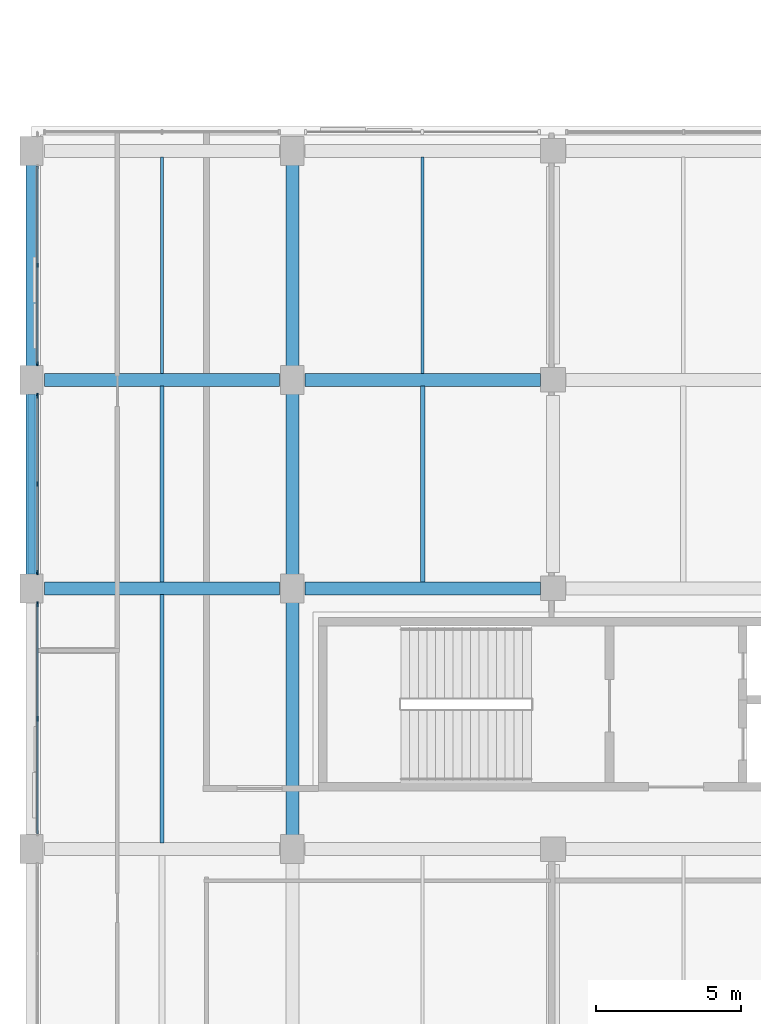
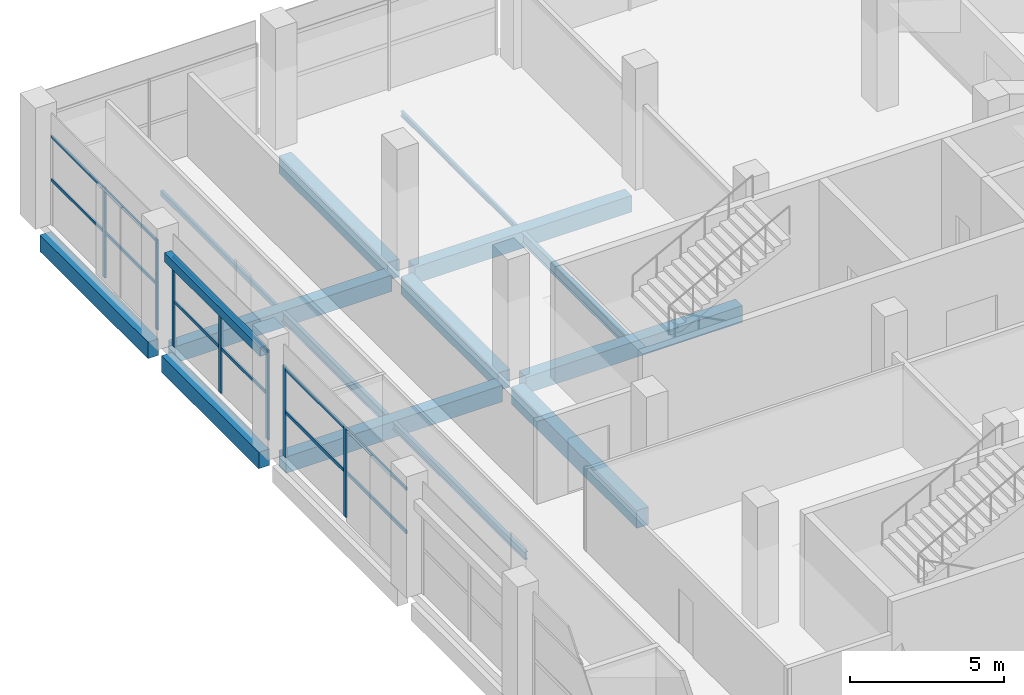
# One storey, part 29 of 66: 14 beams, 14 members, 3 elements without a shape of their own.
"""IFC4 building model written with IfcOpenShell, lengths in metres."""

from ifc_helpers import new_model, si_unit, direction, frame, origin, origin_2d, place, context, subcontext, project, spatial, rectangle, hollow_rectangle, i_section, extrude, material, material_profile, profile_set, type_object, element, aggregate, save


model = new_model("IFC4")

# Units and contexts
model_context = context("Model", 3, precision=1e-05, world=origin(), true_north=direction((0.0, 1.0)))
body_context = subcontext(model_context, "Body", "Model", "MODEL_VIEW")
ifc_project = project(units=[si_unit("LENGTHUNIT", "METRE"), si_unit("AREAUNIT", "SQUARE_METRE"), si_unit("VOLUMEUNIT", "CUBIC_METRE"), si_unit("PLANEANGLEUNIT", "RADIAN"), si_unit("MASSUNIT", "GRAM", prefix="KILO"), si_unit("THERMODYNAMICTEMPERATUREUNIT", "KELVIN"), si_unit("POWERUNIT", "WATT")], contexts=[model_context])

# Site, building, storey
site_placement = place(None, origin())
site = spatial("IfcSite", under=ifc_project, at=site_placement, CompositionType="ELEMENT")
building_placement = place(site_placement, origin())
building = spatial("IfcBuilding", under=site, at=building_placement, Name="Sindhuravela Promenade Stadium", CompositionType="ELEMENT")
storey_placement = place(building_placement, frame((0.0, 0.0, 19.199951171875)))
storey = spatial("IfcBuildingStorey", under=building, at=storey_placement, Name="L04", CompositionType="ELEMENT", Elevation=19.199951171875)

# Curtain wall, members
ifc_material_1 = material(Name="Anodised architectural aluminium 6063-T6", Category="aluminium")
curtain_wall_type_1 = type_object("IfcCurtainWallType", Name="CW-MOD-1", PredefinedType="NOTDEFINED", material=ifc_material_1)
curtain_wall_1_placement = place(storey_placement, origin())
curtain_wall_1 = element("IfcCurtainWall", 1, at=curtain_wall_1_placement, inside=storey, type_object=curtain_wall_type_1, Name="Bronze curtain wall CW-WEST-L04-056", PredefinedType="NOTDEFINED")
ifc_material_profile_1 = material_profile(ifc_material_1, rectangle(XDim=0.06005859375, YDim=0.179931640625, at=origin_2d()), Name="ALU M60x180")
ifc_profile_set_1 = profile_set([ifc_material_profile_1], Name="Anodised architectural aluminium 6063-T6")
member_type_1 = type_object("IfcMemberType", Name="CW-MUL-3", PredefinedType="MULLION", material=ifc_profile_set_1)
member_1_placement = place(storey_placement, frame((0.199951171875, 105.300048828125, 0.0), z_axis=(0.0, 0.0, 1.0), x_axis=(1.0, 0.0, 0.0)))
member_1 = element("IfcMember", 2, at=member_1_placement, type_object=member_type_1, Name="Curtain wall mullion CW-WEST-L04-056-M2", PredefinedType="MULLION", context=body_context, shape_type="SweptSolid", body=[
    extrude(rectangle(XDim=0.06005859375, YDim=0.179931640625, at=origin_2d()), origin(), (0.0, 0.0, 1.0), 3.580078125),
])
member_2_placement = place(storey_placement, frame((0.199951171875, 109.25, 0.0), z_axis=(0.0, 0.0, 1.0), x_axis=(1.0, 0.0, 0.0)))
member_2 = element("IfcMember", 3, at=member_2_placement, type_object=member_type_1, Name="Curtain wall mullion CW-WEST-L04-056-M3", PredefinedType="MULLION", context=body_context, shape_type="SweptSolid", body=[
    extrude(rectangle(XDim=0.06005859375, YDim=0.179931640625, at=origin_2d()), origin(), (0.0, 0.0, 1.0), 3.580078125),
])

curtain_wall_type_2 = type_object("IfcCurtainWallType", Name="CW-MOD-2", PredefinedType="NOTDEFINED", material=ifc_material_1)
curtain_wall_2_placement = place(storey_placement, origin())
curtain_wall_2 = element("IfcCurtainWall", 4, at=curtain_wall_2_placement, inside=storey, type_object=curtain_wall_type_2, Name="Bronze curtain wall CW-WEST-L04-057", PredefinedType="NOTDEFINED")
ifc_material_profile_2 = material_profile(ifc_material_1, rectangle(XDim=0.06005859375, YDim=0.159912109375, at=origin_2d()), Name="ALU M60x160")
ifc_profile_set_2 = profile_set([ifc_material_profile_2], Name="Anodised architectural aluminium 6063-T6")
member_type_2 = type_object("IfcMemberType", Name="CW-MUL-4", PredefinedType="MULLION", material=ifc_profile_set_2)
member_3_placement = place(storey_placement, frame((0.199951171875, 110.35009765625, 0.0), z_axis=(0.0, 0.0, 1.0), x_axis=(1.0, 0.0, 0.0)))
member_3 = element("IfcMember", 5, at=member_3_placement, type_object=member_type_2, Name="Curtain wall mullion CW-WEST-L04-057-M1", PredefinedType="MULLION", context=body_context, shape_type="SweptSolid", body=[
    extrude(rectangle(XDim=0.06005859375, YDim=0.159912109375, at=origin_2d()), origin(), (0.0, 0.0, 1.0), 3.580078125),
])
member_4_placement = place(storey_placement, frame((0.199951171875, 113.39990234375, 0.0), z_axis=(0.0, 0.0, 1.0), x_axis=(1.0, 0.0, 0.0)))
member_4 = element("IfcMember", 6, at=member_4_placement, type_object=member_type_2, Name="Curtain wall mullion CW-WEST-L04-057-M2", PredefinedType="MULLION", context=body_context, shape_type="SweptSolid", body=[
    extrude(rectangle(XDim=0.06005859375, YDim=0.159912109375, at=origin_2d()), origin(), (0.0, 0.0, 1.0), 3.580078125),
])
member_5_placement = place(storey_placement, frame((0.199951171875, 116.449951171875, 0.0), z_axis=(0.0, 0.0, 1.0), x_axis=(1.0, 0.0, 0.0)))
member_5 = element("IfcMember", 7, at=member_5_placement, type_object=member_type_2, Name="Curtain wall mullion CW-WEST-L04-057-M3", PredefinedType="MULLION", context=body_context, shape_type="SweptSolid", body=[
    extrude(rectangle(XDim=0.06005859375, YDim=0.159912109375, at=origin_2d()), origin(), (0.0, 0.0, 1.0), 3.580078125),
])

curtain_wall_type_3 = type_object("IfcCurtainWallType", Name="CW-MOD-3", PredefinedType="NOTDEFINED", material=ifc_material_1)
curtain_wall_3_placement = place(storey_placement, origin())
curtain_wall_3 = element("IfcCurtainWall", 8, at=curtain_wall_3_placement, inside=storey, type_object=curtain_wall_type_3, Name="Bronze curtain wall CW-WEST-L04-058", PredefinedType="NOTDEFINED")
ifc_material_profile_3 = material_profile(ifc_material_1, rectangle(XDim=0.06005859375, YDim=0.139892578125, at=origin_2d()), Name="ALU M60x140")
ifc_profile_set_3 = profile_set([ifc_material_profile_3], Name="Anodised architectural aluminium 6063-T6")
member_type_3 = type_object("IfcMemberType", Name="CW-MUL-5", PredefinedType="MULLION", material=ifc_profile_set_3)
member_6_placement = place(storey_placement, frame((0.199951171875, 117.550048828125, 0.0), z_axis=(0.0, 0.0, 1.0), x_axis=(1.0, 0.0, 0.0)))
member_6 = element("IfcMember", 9, at=member_6_placement, type_object=member_type_3, Name="Curtain wall mullion CW-WEST-L04-058-M1", PredefinedType="MULLION", context=body_context, shape_type="SweptSolid", body=[
    extrude(rectangle(XDim=0.06005859375, YDim=0.139892578125, at=origin_2d()), origin(), (0.0, 0.0, 1.0), 3.580078125),
])
member_7_placement = place(storey_placement, frame((0.199951171875, 120.949951171875, 0.0), z_axis=(0.0, 0.0, 1.0), x_axis=(1.0, 0.0, 0.0)))
member_7 = element("IfcMember", 10, at=member_7_placement, type_object=member_type_3, Name="Curtain wall mullion CW-WEST-L04-058-M2", PredefinedType="MULLION", context=body_context, shape_type="SweptSolid", body=[
    extrude(rectangle(XDim=0.06005859375, YDim=0.139892578125, at=origin_2d()), origin(), (0.0, 0.0, 1.0), 3.580078125),
])

# Member
ifc_material_profile_4 = material_profile(ifc_material_1, rectangle(XDim=0.06005859375, YDim=0.1298828125, at=origin_2d()), Name="ALU T60x130")
ifc_profile_set_4 = profile_set([ifc_material_profile_4], Name="Anodised architectural aluminium 6063-T6")
member_type_4 = type_object("IfcMemberType", Name="CW-TRN-3", PredefinedType="USERDEFINED", material=ifc_profile_set_4)
member_8_placement = place(storey_placement, frame((0.199951171875, 101.324951171875, 1.7900390625), z_axis=(0.0, 1.0, 0.0), x_axis=(-1.0, 0.0, 0.0)))
member_8 = element("IfcMember", 11, at=member_8_placement, type_object=member_type_4, Name="Curtain wall transom CW-WEST-L04-056-T1", ObjectType="TRANSOM", PredefinedType="USERDEFINED", context=body_context, shape_type="SweptSolid", body=[
    extrude(rectangle(XDim=0.06005859375, YDim=0.1298828125, at=origin_2d()), origin(), (0.0, 0.0, 1.0), 7.949951171875),
])

member_9_placement = place(storey_placement, frame((0.199951171875, 101.324951171875, 3.5), z_axis=(0.0, 1.0, 0.0), x_axis=(-1.0, 0.0, 0.0)))
member_9 = element("IfcMember", 12, at=member_9_placement, type_object=member_type_4, Name="Curtain wall transom CW-WEST-L04-056-T2", ObjectType="TRANSOM", PredefinedType="USERDEFINED", context=body_context, shape_type="SweptSolid", body=[
    extrude(rectangle(XDim=0.06005859375, YDim=0.1298828125, at=origin_2d()), origin(), (0.0, 0.0, 1.0), 7.949951171875),
])

aggregate(curtain_wall_1, [member_1, member_2, member_8, member_9])

ifc_material_profile_5 = material_profile(ifc_material_1, rectangle(XDim=0.06005859375, YDim=0.1201171875, at=origin_2d()), Name="ALU T60x120")
ifc_profile_set_5 = profile_set([ifc_material_profile_5], Name="Anodised architectural aluminium 6063-T6")
member_type_5 = type_object("IfcMemberType", Name="CW-TRN-4", PredefinedType="USERDEFINED", material=ifc_profile_set_5)
member_10_placement = place(storey_placement, frame((0.199951171875, 110.324951171875, 1.7900390625), z_axis=(0.0, 1.0, 0.0), x_axis=(-1.0, 0.0, 0.0)))
member_10 = element("IfcMember", 13, at=member_10_placement, type_object=member_type_5, Name="Curtain wall transom CW-WEST-L04-057-T1", ObjectType="TRANSOM", PredefinedType="USERDEFINED", context=body_context, shape_type="SweptSolid", body=[
    extrude(rectangle(XDim=0.06005859375, YDim=0.1201171875, at=origin_2d()), origin(), (0.0, 0.0, 1.0), 6.150146484375),
])

member_11_placement = place(storey_placement, frame((0.199951171875, 110.324951171875, 3.5), z_axis=(0.0, 1.0, 0.0), x_axis=(-1.0, 0.0, 0.0)))
member_11 = element("IfcMember", 14, at=member_11_placement, type_object=member_type_5, Name="Curtain wall transom CW-WEST-L04-057-T2", ObjectType="TRANSOM", PredefinedType="USERDEFINED", context=body_context, shape_type="SweptSolid", body=[
    extrude(rectangle(XDim=0.06005859375, YDim=0.1201171875, at=origin_2d()), origin(), (0.0, 0.0, 1.0), 6.150146484375),
])

aggregate(curtain_wall_2, [member_3, member_4, member_5, member_10, member_11])

ifc_material_profile_6 = material_profile(ifc_material_1, rectangle(XDim=0.06005859375, YDim=0.110107421875, at=origin_2d()), Name="ALU T60x110")
ifc_profile_set_6 = profile_set([ifc_material_profile_6], Name="Anodised architectural aluminium 6063-T6")
member_type_6 = type_object("IfcMemberType", Name="CW-TRN-5", PredefinedType="USERDEFINED", material=ifc_profile_set_6)
member_12_placement = place(storey_placement, frame((0.199951171875, 117.52490234375, 1.7900390625), z_axis=(0.0, 1.0, 0.0), x_axis=(-1.0, 0.0, 0.0)))
member_12 = element("IfcMember", 15, at=member_12_placement, type_object=member_type_6, Name="Curtain wall transom CW-WEST-L04-058-T1", ObjectType="TRANSOM", PredefinedType="USERDEFINED", context=body_context, shape_type="SweptSolid", body=[
    extrude(rectangle(XDim=0.06005859375, YDim=0.110107421875, at=origin_2d()), origin(), (0.0, 0.0, 1.0), 6.85009765625),
])

member_13_placement = place(storey_placement, frame((0.199951171875, 117.52490234375, 3.5), z_axis=(0.0, 1.0, 0.0), x_axis=(-1.0, 0.0, 0.0)))
member_13 = element("IfcMember", 16, at=member_13_placement, type_object=member_type_6, Name="Curtain wall transom CW-WEST-L04-058-T2", ObjectType="TRANSOM", PredefinedType="USERDEFINED", context=body_context, shape_type="SweptSolid", body=[
    extrude(rectangle(XDim=0.06005859375, YDim=0.110107421875, at=origin_2d()), origin(), (0.0, 0.0, 1.0), 6.85009765625),
])

aggregate(curtain_wall_3, [member_6, member_7, member_12, member_13])

# Beams
ifc_material_2 = material(Name="Concrete M40", Category="concrete")
ifc_material_profile_7 = material_profile(ifc_material_2, rectangle(XDim=0.39990234375, YDim=0.64990234375, at=origin_2d()), Name="RC 400x650")
ifc_profile_set_7 = profile_set([ifc_material_profile_7], Name="Concrete M40")
beam_type_1 = type_object("IfcBeamType", Name="RC-BM-400x650", PredefinedType="SPANDREL", material=ifc_profile_set_7)
beam_1_placement = place(storey_placement, frame((0.0, 110.239990234375, -0.64501953125), z_axis=(0.0, 1.0, 0.0), x_axis=(-1.0, 0.0, 0.0)))
element("IfcBeam", 17, at=beam_1_placement, inside=storey, type_object=beam_type_1, Name="Primary beam SP01 WEST L04", PredefinedType="SPANDREL", context=body_context, shape_type="SweptSolid", body=[
    extrude(rectangle(XDim=0.39990234375, YDim=0.64990234375, at=origin_2d()), origin(), (0.0, 0.0, 1.0), 6.320068359375),
])
beam_2_placement = place(storey_placement, frame((0.0, 117.43994140625, -0.64501953125), z_axis=(0.0, 1.0, 0.0), x_axis=(-1.0, 0.0, 0.0)))
element("IfcBeam", 18, at=beam_2_placement, inside=storey, type_object=beam_type_1, Name="Primary beam SP01 WEST L04", PredefinedType="SPANDREL", context=body_context, shape_type="SweptSolid", body=[
    extrude(rectangle(XDim=0.39990234375, YDim=0.64990234375, at=origin_2d()), origin(), (0.0, 0.0, 1.0), 7.02001953125),
])
ifc_material_profile_8 = material_profile(ifc_material_2, rectangle(XDim=0.449951171875, YDim=0.64990234375, at=origin_2d()), Name="RC 450x650")
ifc_profile_set_8 = profile_set([ifc_material_profile_8], Name="Concrete M40")
beam_type_2 = type_object("IfcBeamType", Name="RC-BM-450x650", PredefinedType="T_BEAM", material=ifc_profile_set_8)
for number, where, z_axis, x_axis, name in (
    (19, (0.43994140625, 109.800048828125, -0.64501953125), (1.0, 0.0, 0.0), (0.0, 1.0, 0.0), "Primary girder GB08 WEST L04"),
    (20, (9.43994140625, 109.800048828125, -0.64501953125), (1.0, 0.0, 0.0), (0.0, 1.0, 0.0), "Primary girder GB08 WEST L04"),
    (21, (0.43994140625, 117.0, -0.64501953125), (1.0, 0.0, 0.0), (0.0, 1.0, 0.0), "Primary girder GB08 WEST L04"),
    (22, (9.43994140625, 117.0, -0.64501953125), (1.0, 0.0, 0.0), (0.0, 1.0, 0.0), "Primary girder GB08 WEST L04"),
):
    element("IfcBeam", number, at=place(storey_placement, frame(where, z_axis=z_axis, x_axis=x_axis)), inside=storey, type_object=beam_type_2, Name=name, PredefinedType="T_BEAM", context=body_context, shape_type="SweptSolid", body=[
        extrude(rectangle(XDim=0.449951171875, YDim=0.64990234375, at=origin_2d()), origin(), (0.0, 0.0, 1.0), 8.1201171875),
    ])
ifc_material_profile_9 = material_profile(ifc_material_2, rectangle(XDim=0.449951171875, YDim=0.699951171875, at=origin_2d()), Name="RC 450x700")
ifc_profile_set_9 = profile_set([ifc_material_profile_9], Name="Concrete M40")
beam_type_3 = type_object("IfcBeamType", Name="RC-BM-450x700", PredefinedType="BEAM", material=ifc_profile_set_9)
beam_3_placement = place(storey_placement, frame((9.0, 101.239990234375, -0.669921875), z_axis=(0.0, 1.0, 0.0), x_axis=(-1.0, 0.0, 0.0)))
element("IfcBeam", 23, at=beam_3_placement, inside=storey, type_object=beam_type_3, Name="Primary beam GB07 WEST L04", PredefinedType="BEAM", context=body_context, shape_type="SweptSolid", body=[
    extrude(rectangle(XDim=0.449951171875, YDim=0.699951171875, at=origin_2d()), origin(), (0.0, 0.0, 1.0), 8.1201171875),
])
beam_4_placement = place(storey_placement, frame((9.0, 110.239990234375, -0.669921875), z_axis=(0.0, 1.0, 0.0), x_axis=(-1.0, 0.0, 0.0)))
element("IfcBeam", 24, at=beam_4_placement, inside=storey, type_object=beam_type_3, Name="Primary beam GB07 WEST L04", PredefinedType="BEAM", context=body_context, shape_type="SweptSolid", body=[
    extrude(rectangle(XDim=0.449951171875, YDim=0.699951171875, at=origin_2d()), origin(), (0.0, 0.0, 1.0), 6.320068359375),
])
beam_5_placement = place(storey_placement, frame((9.0, 117.43994140625, -0.669921875), z_axis=(0.0, 1.0, 0.0), x_axis=(-1.0, 0.0, 0.0)))
element("IfcBeam", 25, at=beam_5_placement, inside=storey, type_object=beam_type_3, Name="Primary beam GB07 WEST L04", PredefinedType="BEAM", context=body_context, shape_type="SweptSolid", body=[
    extrude(rectangle(XDim=0.449951171875, YDim=0.699951171875, at=origin_2d()), origin(), (0.0, 0.0, 1.0), 7.02001953125),
])
ifc_material_3 = material(Name="Steel E350 (IS 2062 E350BR)", Category="steel")
ifc_material_profile_10 = material_profile(ifc_material_3, hollow_rectangle(XDim=0.10009765625, YDim=0.199951171875, WallThickness=0.008056640625, at=origin_2d()), Name="RHS 200x100x8")
ifc_profile_set_10 = profile_set([ifc_material_profile_10], Name="Steel E350 (IS 2062 E350BR)")
beam_type_4 = type_object("IfcBeamType", Name="ST-BM-LNT200", PredefinedType="LINTEL", material=ifc_profile_set_10)
beam_6_placement = place(storey_placement, frame((4.5, 117.215087890625, -0.419921875), z_axis=(0.0, 1.0, 0.0), x_axis=(-1.0, 0.0, 0.0)))
element("IfcBeam", 26, at=beam_6_placement, inside=storey, type_object=beam_type_4, Name="Secondary floor joist LN01 WEST L04", PredefinedType="LINTEL", context=body_context, shape_type="SweptSolid", body=[
    extrude(hollow_rectangle(XDim=0.10009765625, YDim=0.199951171875, WallThickness=0.008056640625, at=origin_2d()), origin(), (0.0, 0.0, 1.0), 7.469970703125),
])
ifc_material_profile_11 = material_profile(ifc_material_3, i_section(OverallWidth=0.10009765625, OverallDepth=0.199951171875, WebThickness=0.005615234375, FlangeThickness=0.0107421875, FilletRadius=0.010986328125, at=origin_2d()), Name="ISMB 200")
ifc_profile_set_11 = profile_set([ifc_material_profile_11], Name="Steel E350 (IS 2062 E350BR)")
beam_type_5 = type_object("IfcBeamType", Name="ST-BM-MB200", PredefinedType="JOIST", material=ifc_profile_set_11)
beam_7_placement = place(storey_placement, frame((13.5, 117.215087890625, -0.419921875), z_axis=(0.0, 1.0, 0.0), x_axis=(-1.0, 0.0, 0.0)))
element("IfcBeam", 27, at=beam_7_placement, inside=storey, type_object=beam_type_5, Name="Secondary floor joist SB01 WEST L04", PredefinedType="JOIST", context=body_context, shape_type="SweptSolid", body=[
    extrude(i_section(OverallWidth=0.10009765625, OverallDepth=0.199951171875, WebThickness=0.005615234375, FlangeThickness=0.0107421875, FilletRadius=0.010986328125, at=origin_2d()), origin(), (0.0, 0.0, 1.0), 7.469970703125),
])
ifc_material_profile_12 = material_profile(ifc_material_3, i_section(OverallWidth=0.139892578125, OverallDepth=0.300048828125, WebThickness=0.0078125, FlangeThickness=0.01318359375, FilletRadius=0.013916015625, at=origin_2d()), Name="ISMB 300")
ifc_profile_set_12 = profile_set([ifc_material_profile_12], Name="Steel E350 (IS 2062 E350BR)")
beam_type_6 = type_object("IfcBeamType", Name="ST-BM-MB300", PredefinedType="JOIST", material=ifc_profile_set_12)
beam_8_placement = place(storey_placement, frame((4.5, 101.014892578125, -0.469970703125), z_axis=(0.0, 1.0, 0.0), x_axis=(-1.0, 0.0, 0.0)))
element("IfcBeam", 28, at=beam_8_placement, inside=storey, type_object=beam_type_6, Name="Secondary floor joist SB03 WEST L04", PredefinedType="JOIST", context=body_context, shape_type="SweptSolid", body=[
    extrude(i_section(OverallWidth=0.139892578125, OverallDepth=0.300048828125, WebThickness=0.0078125, FlangeThickness=0.01318359375, FilletRadius=0.013916015625, at=origin_2d()), origin(), (0.0, 0.0, 1.0), 8.570068359375),
])
ifc_material_profile_13 = material_profile(ifc_material_3, i_section(OverallWidth=0.139892578125, OverallDepth=0.39990234375, WebThickness=0.0087890625, FlangeThickness=0.01611328125, FilletRadius=0.013916015625, at=origin_2d()), Name="ISMB 400")
ifc_profile_set_13 = profile_set([ifc_material_profile_13], Name="Steel E350 (IS 2062 E350BR)")
beam_type_7 = type_object("IfcBeamType", Name="ST-BM-MB400", PredefinedType="BEAM", material=ifc_profile_set_13)
beam_9_placement = place(storey_placement, frame((4.5, 110.014892578125, -0.52001953125), z_axis=(0.0, 1.0, 0.0), x_axis=(-1.0, 0.0, 0.0)))
element("IfcBeam", 29, at=beam_9_placement, inside=storey, type_object=beam_type_7, Name="Secondary floor joist SB05 WEST L04", PredefinedType="BEAM", context=body_context, shape_type="SweptSolid", body=[
    extrude(i_section(OverallWidth=0.139892578125, OverallDepth=0.39990234375, WebThickness=0.0087890625, FlangeThickness=0.01611328125, FilletRadius=0.013916015625, at=origin_2d()), origin(), (0.0, 0.0, 1.0), 6.77001953125),
])
ifc_material_profile_14 = material_profile(ifc_material_3, i_section(OverallWidth=0.14990234375, OverallDepth=0.449951171875, WebThickness=0.009521484375, FlangeThickness=0.017333984375, FilletRadius=0.014892578125, at=origin_2d()), Name="ISMB 450")
ifc_profile_set_14 = profile_set([ifc_material_profile_14], Name="Steel E350 (IS 2062 E350BR)")
beam_type_8 = type_object("IfcBeamType", Name="ST-BM-MB450", PredefinedType="BEAM", material=ifc_profile_set_14)
beam_10_placement = place(storey_placement, frame((13.5, 110.014892578125, -0.544921875), z_axis=(0.0, 1.0, 0.0), x_axis=(-1.0, 0.0, 0.0)))
element("IfcBeam", 30, at=beam_10_placement, inside=storey, type_object=beam_type_8, Name="Secondary floor joist SB06 WEST L04", PredefinedType="BEAM", context=body_context, shape_type="SweptSolid", body=[
    extrude(i_section(OverallWidth=0.14990234375, OverallDepth=0.449951171875, WebThickness=0.009521484375, FlangeThickness=0.017333984375, FilletRadius=0.014892578125, at=origin_2d()), origin(), (0.0, 0.0, 1.0), 6.77001953125),
])

# Member
ifc_material_profile_15 = material_profile(ifc_material_3, hollow_rectangle(XDim=0.25, YDim=0.35009765625, WallThickness=0.011962890625, at=origin_2d()), Name="RHS 350x250x12")
ifc_profile_set_15 = profile_set([ifc_material_profile_15], Name="Steel E350 (IS 2062 E350BR)")
member_type_7 = type_object("IfcMemberType", Name="ST-MB-RHS350", PredefinedType="CHORD", material=ifc_profile_set_15)
member_14_placement = place(storey_placement, frame((0.0, 110.2919921875, 3.60009765625), z_axis=(0.0, 1.0, 0.0), x_axis=(-1.0, 0.0, 0.0)))
element("IfcMember", 31, at=member_14_placement, inside=storey, type_object=member_type_7, Name="Portal tie member MC02-17", PredefinedType="CHORD", context=body_context, shape_type="SweptSolid", body=[
    extrude(hollow_rectangle(XDim=0.25, YDim=0.35009765625, WallThickness=0.011962890625, at=origin_2d()), origin(), (0.0, 0.0, 1.0), 6.216064453125),
])

save(model, "model.ifc")
